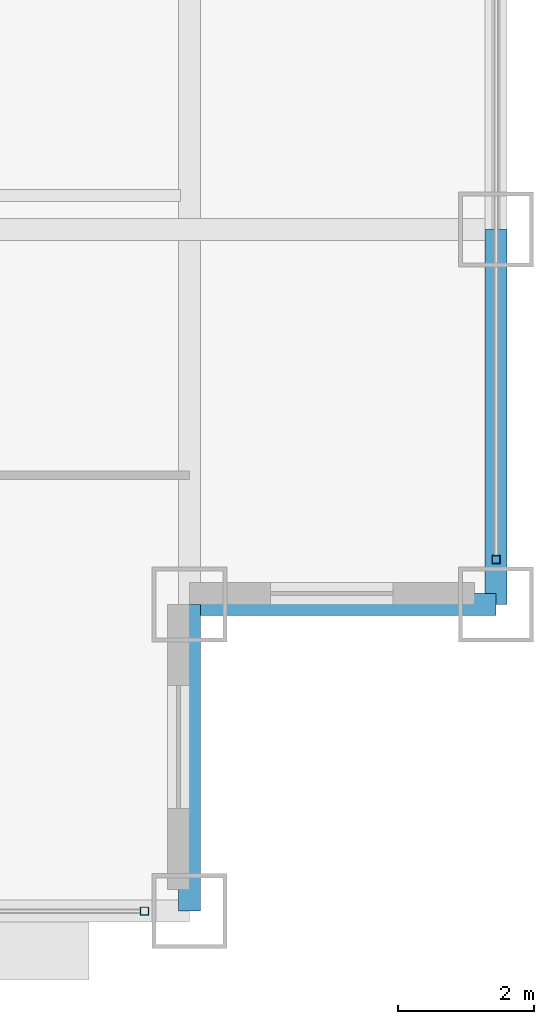
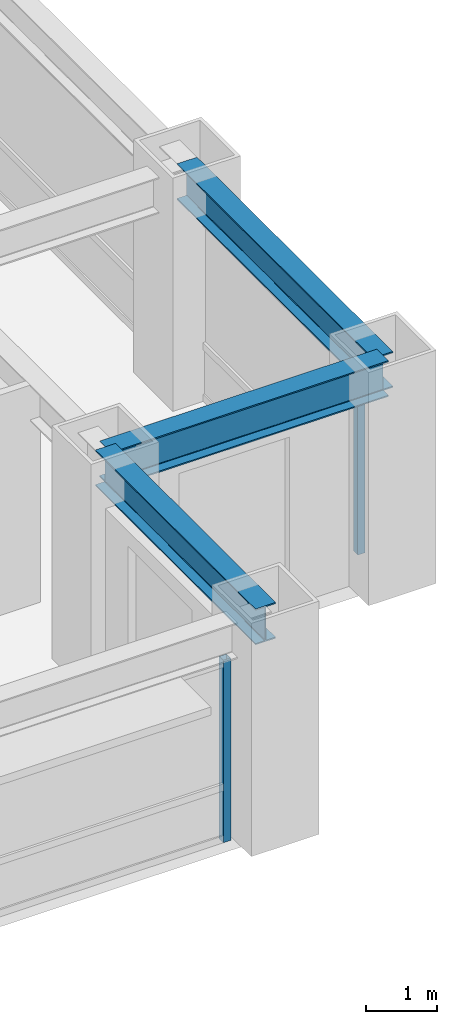
# One storey, part 8 of 28: 3 beams, 2 members, 2 elements without a shape of their own.
"""IFC4 building model written with IfcOpenShell, lengths in metres."""

import ifcopenshell
import ifcopenshell.guid

model = None  # the IFC model being written
_history = None  # IfcOwnerHistory: only IFC2X3 demands one
_inside = {}  # id of a spatial element -> (the spatial element, [elements in it])
_under = {}  # id of a project, library or spatial element -> (it, [spatial elements below it])
_declared = {}  # id of a project -> (the project, [libraries it declares])
_typed = {}  # id of a type object -> (the type object, [elements of that type])
_made_of = {}  # id of a material, layer set ... -> (it, [elements and type objects made of it])


def new_model(schema):
    """Start an empty IFC model of exactly this schema.

    Asked for "IFC4X3", IfcOpenShell would pick the latest addendum, in which some entities
    have other attributes; the version numbers below select the first issue.
    IFC2X3 requires an IfcOwnerHistory on every rooted entity: one is made here for all.
    """
    global model, _history
    if schema == "IFC4X3":
        model = ifcopenshell.file(schema_version=(4, 3, 0, 0))
    else:
        model = ifcopenshell.file(schema=schema)
    _inside.clear()
    _under.clear()
    _declared.clear()
    _typed.clear()
    _made_of.clear()
    _history = None
    if model.schema == "IFC2X3":
        org = make("IfcOrganization", Name="unknown")
        user = make(
            "IfcPersonAndOrganization",
            ThePerson=make("IfcPerson", FamilyName="unknown"),
            TheOrganization=org,
        )
        app = make(
            "IfcApplication",
            ApplicationDeveloper=org,
            Version="unknown",
            ApplicationFullName="unknown",
            ApplicationIdentifier="unknown",
        )
        _history = make(
            "IfcOwnerHistory",
            OwningUser=user,
            OwningApplication=app,
            ChangeAction="ADDED",
            CreationDate=0,
        )
    return model


def make(cls, **values):
    """One entity of the class cls with the attributes given. An attribute that is None is left unset."""
    return model.create_entity(
        cls, **{name: value for name, value in values.items() if value is not None}
    )


def rooted(cls, **values):
    """An entity with a GlobalId (a new one), such as an element, a storey or a relation."""
    return make(cls, GlobalId=ifcopenshell.guid.new(), OwnerHistory=_history, **values)


def si_unit(unit_type, name, prefix=None):
    """IfcSIUnit, for example si_unit("LENGTHUNIT", "METRE", prefix="MILLI")."""
    return make("IfcSIUnit", UnitType=unit_type, Prefix=prefix, Name=name)


def assignment(units):
    """IfcUnitAssignment: the units of a project."""
    return None if units is None else make("IfcUnitAssignment", Units=units)


def point(xyz):
    """IfcCartesianPoint."""
    return None if xyz is None else make("IfcCartesianPoint", Coordinates=xyz)


def direction(xyz):
    """IfcDirection."""
    return None if xyz is None else make("IfcDirection", DirectionRatios=xyz)


def frame(location, z_axis=None, x_axis=None):
    """IfcAxis2Placement3D, a coordinate frame: its origin and axes. An axis left out is left unset."""
    return make(
        "IfcAxis2Placement3D",
        Location=point(location),
        Axis=direction(z_axis),
        RefDirection=direction(x_axis),
    )


def frame_2d(location, x_axis=None):
    """IfcAxis2Placement2D, a coordinate frame in the plane: its origin and x axis."""
    return make(
        "IfcAxis2Placement2D", Location=point(location), RefDirection=direction(x_axis)
    )


def origin():
    """The frame at (0, 0, 0) with its axes left unset."""
    return frame((0.0, 0.0, 0.0))


def origin_2d():
    """The frame at (0, 0) in the plane with its x axis left unset."""
    return frame_2d((0.0, 0.0))


def place(relative_to, where):
    """IfcLocalPlacement: puts the frame where relative to a parent placement (None: the world)."""
    return make(
        "IfcLocalPlacement", PlacementRelTo=relative_to, RelativePlacement=where
    )


def context(
    kind, dimensions, precision=None, world=None, true_north=None, identifier=None
):
    """IfcGeometricRepresentationContext, for example the 3D "Model" context."""
    return make(
        "IfcGeometricRepresentationContext",
        ContextIdentifier=identifier,
        ContextType=kind,
        CoordinateSpaceDimension=dimensions,
        Precision=precision,
        WorldCoordinateSystem=world,
        TrueNorth=true_north,
    )


def subcontext(parent, identifier, kind, view, scale=None):
    """IfcGeometricRepresentationSubContext, for example "Body" below "Model"."""
    return make(
        "IfcGeometricRepresentationSubContext",
        ContextIdentifier=identifier,
        ContextType=kind,
        ParentContext=parent,
        TargetScale=scale,
        TargetView=view,
    )


def project(units=None, contexts=None):
    """IfcProject with its units and contexts."""
    return rooted(
        "IfcProject",
        Name="project",
        RepresentationContexts=contexts,
        UnitsInContext=assignment(units),
    )


def spatial(cls, under=None, at=None, **own):
    """A site, building, storey or space (cls), placed at a placement, below another one or the project."""
    s = rooted(cls, ObjectPlacement=at, **own)
    if under is not None:
        _under.setdefault(under.id(), (under, []))[1].append(s)
    return s


def profile(cls, at=None, kind="AREA", **sizes):
    """A parametric profile (cls). Its sizes go by their IFC names, for example OverallWidth=200.0."""
    return make(cls, ProfileType=kind, Position=at, **sizes)


def hollow_rectangle(**sizes):
    """IfcRectangleHollowProfileDef."""
    return profile("IfcRectangleHollowProfileDef", **sizes)


def i_section(**sizes):
    """IfcIShapeProfileDef."""
    return profile("IfcIShapeProfileDef", **sizes)


def extrude(swept, where, along, depth):
    """IfcExtrudedAreaSolid: the profile swept, set in the frame where, extruded along a direction by depth."""
    return make(
        "IfcExtrudedAreaSolid",
        SweptArea=swept,
        Position=where,
        ExtrudedDirection=direction(along),
        Depth=depth,
    )


def shape(context_of_items, identifier, shape_type, items):
    """IfcShapeRepresentation: the items that make up one representation, for example the "Body"."""
    return make(
        "IfcShapeRepresentation",
        ContextOfItems=context_of_items,
        RepresentationIdentifier=identifier,
        RepresentationType=shape_type,
        Items=items,
    )


def source(mapping_origin, context_of_items, identifier, shape_type, items):
    """IfcRepresentationMap: a shape defined once, which mapped items show again and again."""
    return make(
        "IfcRepresentationMap",
        MappingOrigin=mapping_origin,
        MappedRepresentation=shape(context_of_items, identifier, shape_type, items),
    )


def transform(
    local_origin,
    x_axis=None,
    y_axis=None,
    z_axis=None,
    scale=None,
    scale2=None,
    scale3=None,
    uniform=True,
):
    """IfcCartesianTransformationOperator3D, or its non-uniform kind. x_axis, y_axis, z_axis: its Axis1, 2, 3."""
    if uniform:
        return make(
            "IfcCartesianTransformationOperator3D",
            Axis1=direction(x_axis),
            Axis2=direction(y_axis),
            LocalOrigin=point(local_origin),
            Scale=scale,
            Axis3=direction(z_axis),
        )
    return make(
        "IfcCartesianTransformationOperator3DnonUniform",
        Axis1=direction(x_axis),
        Axis2=direction(y_axis),
        LocalOrigin=point(local_origin),
        Scale=scale,
        Axis3=direction(z_axis),
        Scale2=scale2,
        Scale3=scale3,
    )


def mapped(mapping_source, mapping_target):
    """IfcMappedItem: shows the shape of a source again, moved by a transform."""
    return make(
        "IfcMappedItem", MappingSource=mapping_source, MappingTarget=mapping_target
    )


def material(Name=None, Category=None):
    """IfcMaterial."""
    return make("IfcMaterial", Name=Name, Category=Category)


def material_profile(
    of_material, cross_section, Name=None, Category=None, Priority=None
):
    """IfcMaterialProfile: a cross section and its material."""
    return make(
        "IfcMaterialProfile",
        Name=Name,
        Material=of_material,
        Profile=cross_section,
        Priority=Priority,
        Category=Category,
    )


def profile_set(profiles, Name=None, composite=None):
    """IfcMaterialProfileSet."""
    return make(
        "IfcMaterialProfileSet",
        Name=Name,
        MaterialProfiles=profiles,
        CompositeProfile=composite,
    )


def made_of(thing, what):
    """Note that an element or type object is made of a material, layer set ...; save() writes the relation."""
    if what is not None:
        _made_of.setdefault(what.id(), (what, []))[1].append(thing)
    return thing


def type_object(cls, material=None, **own):
    """A type object (cls), such as IfcWallType, which elements share."""
    return made_of(rooted(cls, **own), material)


def element(
    cls,
    number,
    at=None,
    inside=None,
    cuts=None,
    type_object=None,
    material=None,
    context=None,
    identifier="Body",
    shape_type=None,
    held_by="IfcProductDefinitionShape",
    body=None,
    shapes=None,
    **own,
):
    """One element of the class cls, such as IfcWall. Its Tag is "e" and its number.

    at: its placement. inside: the storey or other place that contains it. cuts: it is an
    opening in that element (IfcRelVoidsElement). A single representation is given by context,
    identifier, shape_type and body (its items); several are given by shapes. held_by: the class
    of the entity that holds the representations. save() writes the other relations.
    """
    e = rooted(cls, Tag="e%d" % number, ObjectPlacement=at, **own)
    if body is not None:
        shapes = [shape(context, identifier, shape_type, body)]
    if shapes is not None:
        e.Representation = make(held_by, Representations=shapes)
    if inside is not None:
        _inside.setdefault(inside.id(), (inside, []))[1].append(e)
    if cuts is not None:
        rooted(
            "IfcRelVoidsElement", RelatingBuildingElement=cuts, RelatedOpeningElement=e
        )
    if type_object is not None:
        _typed.setdefault(type_object.id(), (type_object, []))[1].append(e)
    return made_of(e, material)


def aggregate(whole, parts):
    """IfcRelAggregates: a whole, such as a stair, and the parts it consists of."""
    return rooted("IfcRelAggregates", RelatingObject=whole, RelatedObjects=parts)


def save(model, path):
    """Write the relations noted so far, then the file.

    IfcRelAggregates (storeys below a building ...), IfcRelContainedInSpatialStructure (elements
    in a storey), IfcRelDefinesByType, IfcRelAssociatesMaterial and IfcRelDeclares: one each for
    every whole, place, type object, material and project.
    """
    for whole, parts in _under.values():
        aggregate(whole, parts)
    for where, things in _inside.values():
        rooted(
            "IfcRelContainedInSpatialStructure",
            RelatedElements=things,
            RelatingStructure=where,
        )
    for kind, things in _typed.values():
        rooted("IfcRelDefinesByType", RelatedObjects=things, RelatingType=kind)
    for what, things in _made_of.values():
        rooted("IfcRelAssociatesMaterial", RelatedObjects=things, RelatingMaterial=what)
    for by, libraries in _declared.values():
        rooted("IfcRelDeclares", RelatingContext=by, RelatedDefinitions=libraries)
    model.write(path)


model = new_model("IFC4")

# Units and contexts
model_context = context("Model", 3, precision=1e-05, world=origin(), true_north=direction((0.0, 1.0)))
body_context = subcontext(model_context, "Body", "Model", "MODEL_VIEW")
ifc_project = project(units=[si_unit("LENGTHUNIT", "METRE"), si_unit("AREAUNIT", "SQUARE_METRE"), si_unit("VOLUMEUNIT", "CUBIC_METRE"), si_unit("PLANEANGLEUNIT", "RADIAN"), si_unit("MASSUNIT", "GRAM", prefix="KILO")], contexts=[model_context])

# Site, building, storey
site_placement = place(None, origin())
site = spatial("IfcSite", under=ifc_project, at=site_placement, CompositionType="ELEMENT")
building_placement = place(site_placement, origin())
building = spatial("IfcBuilding", under=site, at=building_placement, Name="Khorayat Bourse Tower", CompositionType="ELEMENT")
storey_placement = place(building_placement, frame((0.0, 0.0, 191.10009765625)))
storey = spatial("IfcBuildingStorey", under=building, at=storey_placement, Name="L44", CompositionType="ELEMENT", Elevation=191.10009765625)

# Beams
ifc_material_1 = material(Name="Steel ASTM A992 Grade 50", Category="steel")
ifc_material_profile_1 = material_profile(ifc_material_1, i_section(OverallWidth=0.324951171875, OverallDepth=0.615966796875, WebThickness=0.013916015625, FlangeThickness=0.021484375, FilletRadius=0.01611328125, at=origin_2d()), Name="W610X174")
ifc_profile_set_1 = profile_set([ifc_material_profile_1], Name="Steel ASTM A992 Grade 50")
beam_type = type_object("IfcBeamType", Name="BM-SPAN-610", PredefinedType="SPANDREL", material=ifc_profile_set_1)
shared_shape_1 = source(origin(), body_context, "Body", "SweptSolid", [
    extrude(i_section(OverallWidth=0.324951171875, OverallDepth=0.615966796875, WebThickness=0.013916015625, FlangeThickness=0.021484375, FilletRadius=0.01611328125, at=origin_2d()), origin(), (0.0, 0.0, 1.0), 5.5),
])
beam_placement = place(storey_placement, frame((30.0, -25.5, 3.471923828125), z_axis=(0.0, 1.0, 0.0), x_axis=(-1.0, 0.0, 0.0)))
element("IfcBeam", 1, at=beam_placement, inside=storey, type_object=beam_type, Name="L44 BM-SPAN-610 BM-L44-SPN-034", PredefinedType="SPANDREL", context=body_context, shape_type="MappedRepresentation", body=[
    mapped(shared_shape_1, transform((0.0, 0.0, 0.0), scale=1.0)),
])
shared_shape_2 = source(origin(), body_context, "Body", "SweptSolid", [
    extrude(i_section(OverallWidth=0.324951171875, OverallDepth=0.615966796875, WebThickness=0.013916015625, FlangeThickness=0.021484375, FilletRadius=0.01611328125, at=origin_2d()), origin(), (0.0, 0.0, 1.0), 4.5),
])
for number, where, z_axis, x_axis, name in (
    (2, (25.5, -30.0, 3.471923828125), (0.0, 1.0, 0.0), (-1.0, 0.0, 0.0), "L44 BM-SPAN-610 BM-L44-SPN-032"),
    (3, (25.5, -25.5, 3.471923828125), (1.0, 0.0, 0.0), (0.0, 1.0, 0.0), "L44 BM-SPAN-610 BM-L44-SPN-033"),
):
    element("IfcBeam", number, at=place(storey_placement, frame(where, z_axis=z_axis, x_axis=x_axis)), inside=storey, type_object=beam_type, Name=name, PredefinedType="SPANDREL", context=body_context, shape_type="MappedRepresentation", body=[
        mapped(shared_shape_2, transform((0.0, 0.0, 0.0), scale=1.0)),
    ])

# Curtain wall, member
ifc_material_2 = material(Name="Aluminium EN AW-6063 T6", Category="aluminium")
curtain_wall_type = type_object("IfcCurtainWallType", Name="CW-SYS-03", PredefinedType="NOTDEFINED", material=ifc_material_2)
curtain_wall_1_placement = place(storey_placement, origin())
curtain_wall_1 = element("IfcCurtainWall", 4, at=curtain_wall_1_placement, inside=storey, type_object=curtain_wall_type, Name="L44 Curtain Wall CW-L44-S1", PredefinedType="NOTDEFINED")
ifc_material_profile_2 = material_profile(ifc_material_2, hollow_rectangle(XDim=0.1201171875, YDim=0.1201171875, WallThickness=0.0048828125, at=origin_2d()), Name="ALU 120x120x5")
ifc_profile_set_2 = profile_set([ifc_material_profile_2], Name="Aluminium EN AW-6063 T6")
member_type = type_object("IfcMemberType", Name="CWM-VERT-120", PredefinedType="MULLION", material=ifc_profile_set_2)
shared_shape_3 = source(origin(), body_context, "Body", "SweptSolid", [
    extrude(hollow_rectangle(XDim=0.1201171875, YDim=0.1201171875, WallThickness=0.0048828125, at=origin_2d()), origin(), (0.0, 0.0, 1.0), 3.1298828125),
])
member_1_placement = place(storey_placement, frame((24.840087890625, -30.0, 0.0), z_axis=(0.0, 0.0, 1.0), x_axis=(0.0, 1.0, 0.0)))
member_1 = element("IfcMember", 5, at=member_1_placement, type_object=member_type, Name="CW-L44-S1 Vertical Mullion 3", PredefinedType="MULLION", context=body_context, shape_type="MappedRepresentation", body=[
    mapped(shared_shape_3, transform((0.0, 0.0, 0.0), scale=1.0)),
])
aggregate(curtain_wall_1, [member_1])

curtain_wall_2_placement = place(storey_placement, origin())
curtain_wall_2 = element("IfcCurtainWall", 6, at=curtain_wall_2_placement, inside=storey, type_object=curtain_wall_type, Name="L44 Curtain Wall CW-L44-E1", PredefinedType="NOTDEFINED")
member_2_placement = place(storey_placement, frame((30.0, -24.840087890625, 0.0), z_axis=(0.0, 0.0, 1.0), x_axis=(-1.0, 0.0, 0.0)))
member_2 = element("IfcMember", 7, at=member_2_placement, type_object=member_type, Name="CW-L44-E1 Vertical Mullion 1", PredefinedType="MULLION", context=body_context, shape_type="MappedRepresentation", body=[
    mapped(shared_shape_3, transform((0.0, 0.0, 0.0), scale=1.0)),
])
aggregate(curtain_wall_2, [member_2])

save(model, "model.ifc")
